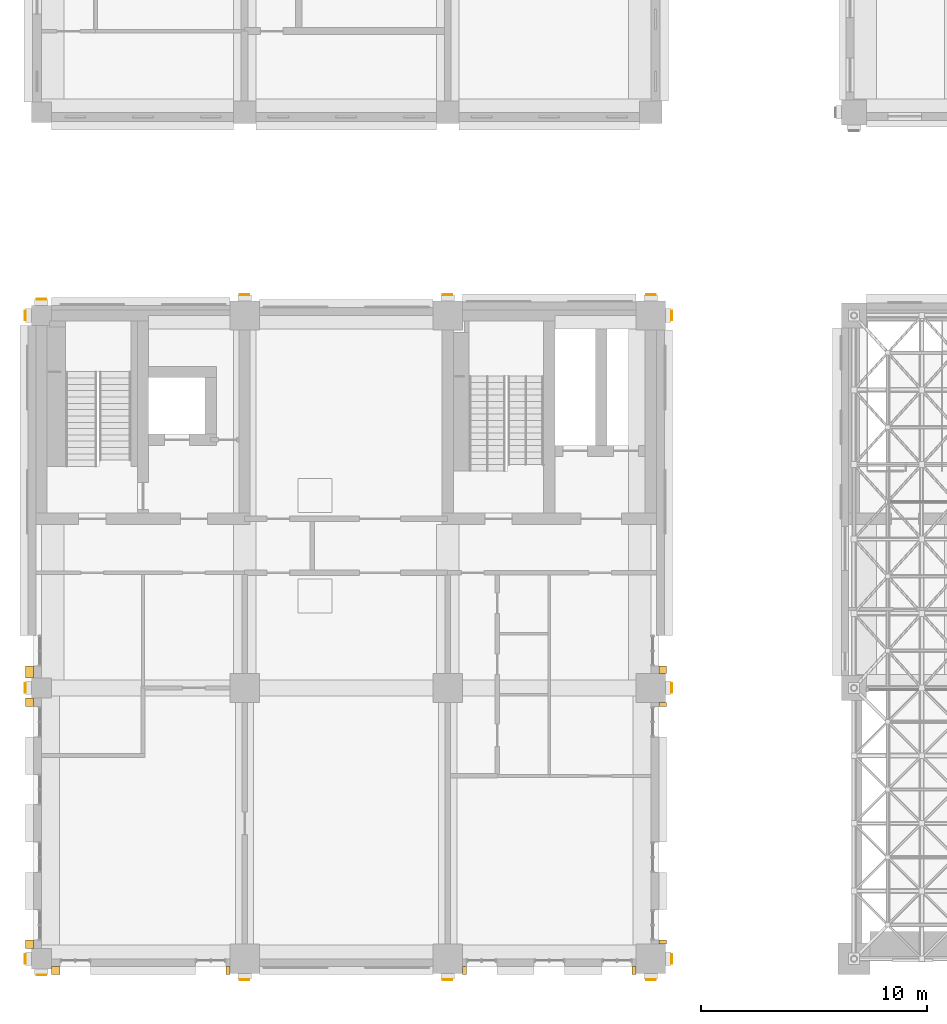
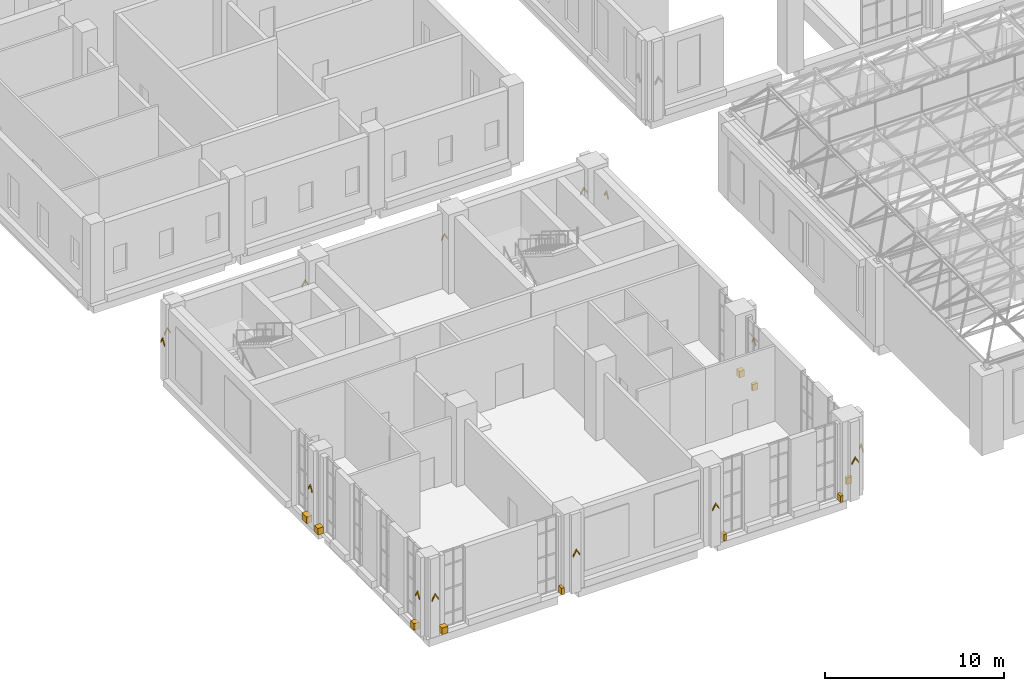
# One storey, part 50 of 53: 24 coverings.
"""IFC4 building model written with IfcOpenShell, lengths in metres."""

from ifc_helpers import new_model, si_unit, direction, frame, origin, origin_2d, place, context, subcontext, project, spatial, polyline, rectangle, outline, extrude, material, layer, layer_set, type_object, element, save


model = new_model("IFC4")

# Units and contexts
model_context = context("Model", 3, precision=1e-05, world=origin(), true_north=direction((0.0, 1.0)))
body_context = subcontext(model_context, "Body", "Model", "MODEL_VIEW")
ifc_project = project(units=[si_unit("LENGTHUNIT", "METRE"), si_unit("AREAUNIT", "SQUARE_METRE"), si_unit("VOLUMEUNIT", "CUBIC_METRE"), si_unit("PLANEANGLEUNIT", "RADIAN"), si_unit("MASSUNIT", "GRAM", prefix="KILO")], contexts=[model_context])

# Site, building, storey
site_placement = place(None, origin())
site = spatial("IfcSite", under=ifc_project, at=site_placement, CompositionType="ELEMENT")
building_placement = place(site_placement, origin())
building = spatial("IfcBuilding", under=site, at=building_placement, Name="Aurelan Courthouse", CompositionType="ELEMENT")
storey_placement = place(building_placement, frame((0.0, 0.0, 12.0)))
storey = spatial("IfcBuildingStorey", under=building, at=storey_placement, Name="L02", CompositionType="ELEMENT", Elevation=12.0)

# Coverings
ifc_material_1 = material(Name="Bronze sheet cladding")
ifc_layer = layer(ifc_material_1, 0.0400390625)
ifc_layer_set = layer_set([ifc_layer], Name="Bronze sheet cladding")
covering_type_1 = type_object("IfcCoveringType", Name="Courts' Floors chevron relief 420 x 470", PredefinedType="CLADDING", material=ifc_layer_set)
for number, where, z_axis, x_axis, name in (
    (1, (0.0, -0.699951171875, -12.0), (0.0, -1.0, 0.0), (1.0, 0.0, 0.0), "Chevron relief CH-V5-001"),
    (2, (9.0, -0.89990234375, -12.0), (0.0, -1.0, 0.0), (1.0, 0.0, 0.0), "Chevron relief CH-V5-002"),
    (3, (18.0, -0.89990234375, -12.0), (0.0, -1.0, 0.0), (1.0, 0.0, 0.0), "Chevron relief CH-V5-003"),
    (4, (27.0, -0.89990234375, -12.0), (0.0, -1.0, 0.0), (1.0, 0.0, 0.0), "Chevron relief CH-V5-004"),
    (5, (0.0, 29.199951171875, -12.0), (0.0, 1.0, 0.0), (-1.0, 0.0, 0.0), "Chevron relief CH-V5-005"),
    (6, (9.0, 29.39990234375, -12.0), (0.0, 1.0, 0.0), (-1.0, 0.0, 0.0), "Chevron relief CH-V5-006"),
    (7, (18.0, 29.39990234375, -12.0), (0.0, 1.0, 0.0), (-1.0, 0.0, 0.0), "Chevron relief CH-V5-007"),
    (8, (27.0, 29.39990234375, -12.0), (0.0, 1.0, 0.0), (-1.0, 0.0, 0.0), "Chevron relief CH-V5-008"),
    (9, (27.89990234375, 0.0, -12.0), (1.0, 0.0, 0.0), (0.0, 1.0, 0.0), "Chevron relief CH-V5-009"),
    (10, (27.89990234375, 12.0, -12.0), (1.0, 0.0, 0.0), (0.0, 1.0, 0.0), "Chevron relief CH-V5-010"),
    (11, (27.89990234375, 28.5, -12.0), (1.0, 0.0, 0.0), (0.0, 1.0, 0.0), "Chevron relief CH-V5-011"),
    (12, (-0.699951171875, 0.0, -12.0), (-1.0, 0.0, 0.0), (0.0, -1.0, 0.0), "Chevron relief CH-V5-012"),
    (13, (-0.699951171875, 12.0, -12.0), (-1.0, 0.0, 0.0), (0.0, -1.0, 0.0), "Chevron relief CH-V5-013"),
    (14, (-0.699951171875, 28.5, -12.0), (-1.0, 0.0, 0.0), (0.0, -1.0, 0.0), "Chevron relief CH-V5-014"),
):
    element("IfcCovering", number, at=place(storey_placement, frame(where, z_axis=z_axis, x_axis=x_axis)), inside=storey, type_object=covering_type_1, Name=name, PredefinedType="CLADDING", context=body_context, shape_type="SweptSolid", body=[
        extrude(outline(polyline([(-0.2099609375, 14.52490234375), (0.0, 14.875), (0.2099609375, 14.52490234375), (0.2099609375, 14.64501953125), (0.0, 14.9951171875), (-0.2099609375, 14.64501953125), (-0.2099609375, 14.52490234375)])), origin(), (0.0, 0.0, 1.0), 0.0400390625),
    ])
ifc_material_2 = material(Name="Limestone cladding", Category="masonry")
covering_type_2 = type_object("IfcCoveringType", Name="Courts' Floors string course 450 x 350", PredefinedType="CLADDING", material=ifc_material_2)
covering_1_placement = place(storey_placement, frame((0.637451171875, -0.52490234375, 0.0), z_axis=(0.0, 0.0, 1.0), x_axis=(1.0, 0.0, 0.0)))
element("IfcCovering", 15, at=covering_1_placement, inside=storey, type_object=covering_type_2, Name="String course SC-V5-001", PredefinedType="CLADDING", context=body_context, shape_type="SweptSolid", body=[
    extrude(rectangle(XDim=0.375, YDim=0.35009765625, at=origin_2d()), origin(), (0.0, 0.0, 1.0), 0.449951171875),
])
for number, where, z_axis, x_axis, name in (
    (16, (8.262451171875, -0.52490234375, 0.0), (0.0, 0.0, 1.0), (1.0, 0.0, 0.0), "String course SC-V5-003"),
    (17, (18.737548828125, -0.52490234375, 0.0), (0.0, 0.0, 1.0), (1.0, 0.0, 0.0), "String course SC-V5-005"),
    (18, (26.262451171875, -0.52490234375, 0.0), (0.0, 0.0, 1.0), (1.0, 0.0, 0.0), "String course SC-V5-008"),
):
    element("IfcCovering", number, at=place(storey_placement, frame(where, z_axis=z_axis, x_axis=x_axis)), inside=storey, type_object=covering_type_2, Name=name, PredefinedType="CLADDING", context=body_context, shape_type="SweptSolid", body=[
        extrude(rectangle(XDim=0.175048828125, YDim=0.35009765625, at=origin_2d()), origin(), (0.0, 0.0, 1.0), 0.449951171875),
    ])
covering_2_placement = place(storey_placement, frame((-0.52490234375, 0.637451171875, 0.0), z_axis=(0.0, 0.0, 1.0), x_axis=(1.0, 0.0, 0.0)))
element("IfcCovering", 19, at=covering_2_placement, inside=storey, type_object=covering_type_2, Name="String course SC-V5-009", PredefinedType="CLADDING", context=body_context, shape_type="SweptSolid", body=[
    extrude(rectangle(XDim=0.35009765625, YDim=0.375, at=origin_2d()), origin(), (0.0, 0.0, 1.0), 0.449951171875),
])
covering_3_placement = place(storey_placement, frame((27.52490234375, 0.737548828125, 0.0), z_axis=(0.0, 0.0, 1.0), x_axis=(1.0, 0.0, 0.0)))
element("IfcCovering", 20, at=covering_3_placement, inside=storey, type_object=covering_type_2, Name="String course SC-V5-010", PredefinedType="CLADDING", context=body_context, shape_type="SweptSolid", body=[
    extrude(rectangle(XDim=0.35009765625, YDim=0.175048828125, at=origin_2d()), origin(), (0.0, 0.0, 1.0), 0.449951171875),
])
covering_4_placement = place(storey_placement, frame((-0.52490234375, 11.362548828125, 0.0), z_axis=(0.0, 0.0, 1.0), x_axis=(1.0, 0.0, 0.0)))
element("IfcCovering", 21, at=covering_4_placement, inside=storey, type_object=covering_type_2, Name="String course SC-V5-016", PredefinedType="CLADDING", context=body_context, shape_type="SweptSolid", body=[
    extrude(rectangle(XDim=0.35009765625, YDim=0.375, at=origin_2d()), origin(), (0.0, 0.0, 1.0), 0.449951171875),
])
covering_5_placement = place(storey_placement, frame((27.52490234375, 11.262451171875, 0.0), z_axis=(0.0, 0.0, 1.0), x_axis=(1.0, 0.0, 0.0)))
element("IfcCovering", 22, at=covering_5_placement, inside=storey, type_object=covering_type_2, Name="String course SC-V5-017", PredefinedType="CLADDING", context=body_context, shape_type="SweptSolid", body=[
    extrude(rectangle(XDim=0.35009765625, YDim=0.175048828125, at=origin_2d()), origin(), (0.0, 0.0, 1.0), 0.449951171875),
])
covering_6_placement = place(storey_placement, frame((-0.52490234375, 12.71240234375, 0.0), z_axis=(0.0, 0.0, 1.0), x_axis=(1.0, 0.0, 0.0)))
element("IfcCovering", 23, at=covering_6_placement, inside=storey, type_object=covering_type_2, Name="String course SC-V5-018", PredefinedType="CLADDING", context=body_context, shape_type="SweptSolid", body=[
    extrude(rectangle(XDim=0.35009765625, YDim=0.52490234375, at=origin_2d()), origin(), (0.0, 0.0, 1.0), 0.449951171875),
])
covering_7_placement = place(storey_placement, frame((27.52490234375, 12.8125, 0.0), z_axis=(0.0, 0.0, 1.0), x_axis=(1.0, 0.0, 0.0)))
element("IfcCovering", 24, at=covering_7_placement, inside=storey, type_object=covering_type_2, Name="String course SC-V5-019", PredefinedType="CLADDING", context=body_context, shape_type="SweptSolid", body=[
    extrude(rectangle(XDim=0.35009765625, YDim=0.324951171875, at=origin_2d()), origin(), (0.0, 0.0, 1.0), 0.449951171875),
])

save(model, "model.ifc")
